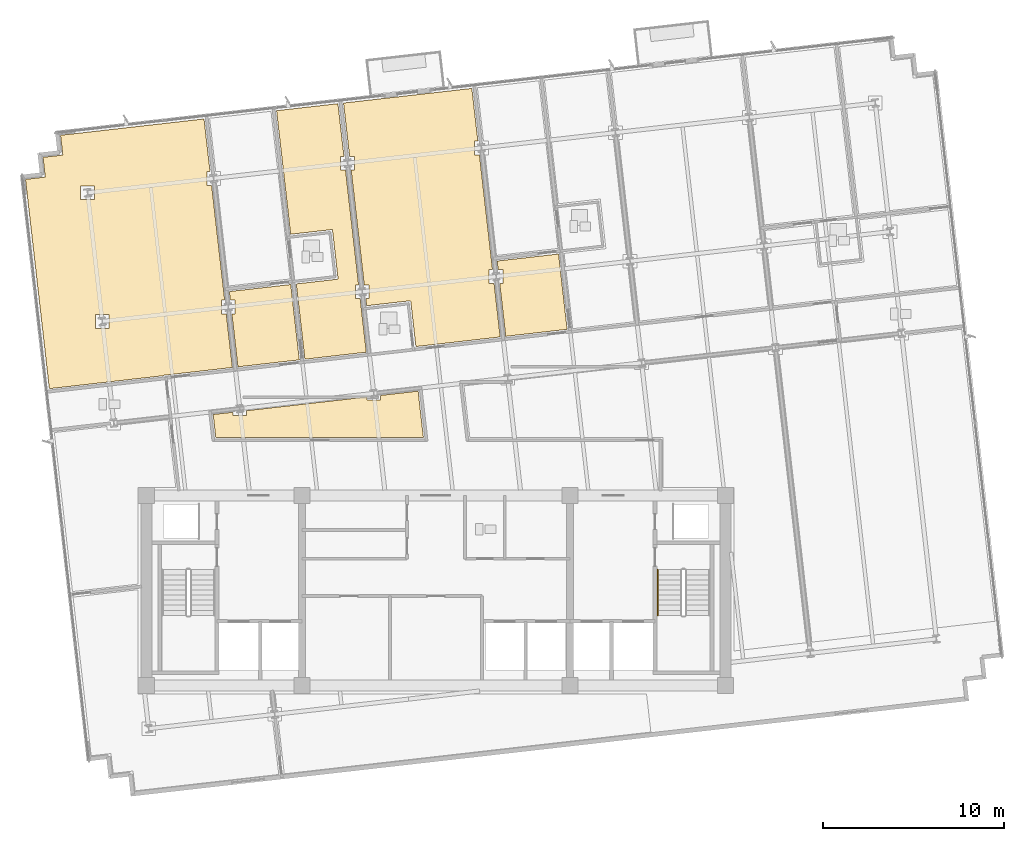
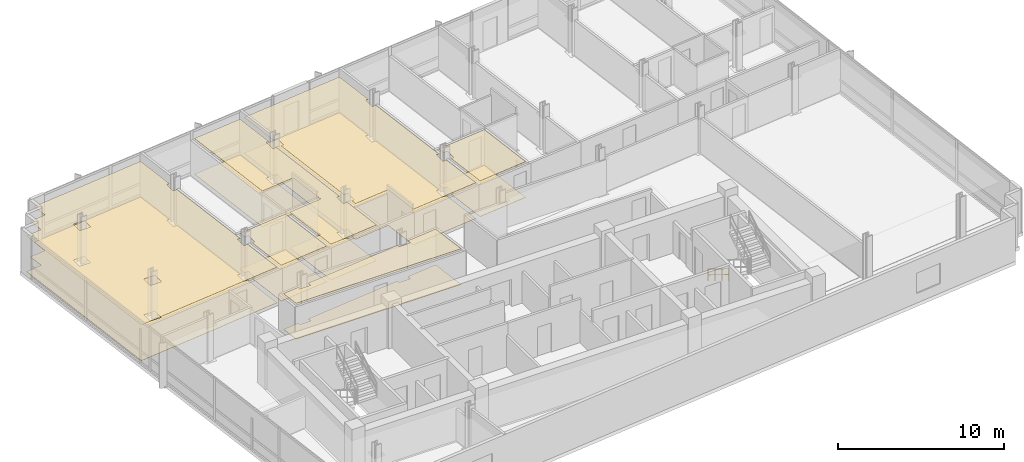
# One storey, part 13 of 16: 12 coverings, 1 railing.
"""IFC4 building model written with IfcOpenShell, lengths in metres."""

from ifc_helpers import new_model, si_unit, direction, frame, origin, origin_2d, place, context, subcontext, project, spatial, polyline, circle, outline, extrude, material, layer, layer_set, type_object, element, save


model = new_model("IFC4")

# Units and contexts
model_context = context("Model", 3, precision=1e-05, world=origin(), true_north=direction((0.0, 1.0)))
body_context = subcontext(model_context, "Body", "Model", "MODEL_VIEW")
ifc_project = project(units=[si_unit("LENGTHUNIT", "METRE"), si_unit("AREAUNIT", "SQUARE_METRE"), si_unit("VOLUMEUNIT", "CUBIC_METRE"), si_unit("PLANEANGLEUNIT", "RADIAN"), si_unit("MASSUNIT", "GRAM", prefix="KILO")], contexts=[model_context])

# Site, building, storey
site_placement = place(None, origin())
site = spatial("IfcSite", under=ifc_project, at=site_placement, CompositionType="ELEMENT")
building_placement = place(site_placement, origin())
building = spatial("IfcBuilding", under=site, at=building_placement, Name="Solmavex Isthmus Hotel", CompositionType="ELEMENT")
storey_placement = place(building_placement, frame((0.0, 0.0, 205.5)))
storey = spatial("IfcBuildingStorey", under=building, at=storey_placement, Name="L55", CompositionType="ELEMENT", Elevation=205.5)

# Coverings
ifc_material_1 = material(Name="Gypsum plasterboard lining", Category="gypsum")
ifc_layer_1 = layer(ifc_material_1, 0.030029296875)
ifc_layer_set_1 = layer_set([ifc_layer_1], Name="Gypsum plasterboard lining")
covering_type_1 = type_object("IfcCoveringType", Name="COV-CEIL-GYP", PredefinedType="CEILING", material=ifc_layer_set_1)
covering_1_placement = place(storey_placement, frame((0.0, 0.0, 2.6201171875)))
element("IfcCovering", 1, at=covering_1_placement, inside=storey, type_object=covering_type_1, Name="Suspended Acoustic Ceiling L55-RM01", PredefinedType="CEILING", context=body_context, shape_type="SweptSolid", body=[
    extrude(outline(polyline([(-15.079833984375, 4.11669921875), (-15.08203125, 4.136474609375), (-11.2490234375, 4.5732421875), (-11.586181640625, 7.532470703125), (-11.853271484375, 7.532470703125), (-11.853271484375, 8.29248046875), (-11.672607421875, 8.29248046875), (-12.395751953125, 14.638427734375), (-12.6630859375, 14.638427734375), (-12.6630859375, 15.3984375), (-12.482421875, 15.3984375), (-12.8134765625, 18.304443359375), (-19.92041015625, 17.49462890625), (-20.740234375, 17.4013671875), (-20.615478515625, 16.308349609375), (-21.70849609375, 16.183837890625), (-21.583984375, 15.091064453125), (-22.677001953125, 14.966552734375), (-22.58349609375, 14.146728515625), (-21.359130859375, 3.4013671875), (-15.079833984375, 4.11669921875)]), holes=[polyline([(-18.81640625, 6.739013671875), (-18.81640625, 7.4990234375), (-18.056396484375, 7.4990234375), (-18.056396484375, 6.739013671875), (-18.81640625, 6.739013671875)]), polyline([(-19.6259765625, 13.844970703125), (-19.6259765625, 14.60498046875), (-18.865966796875, 14.60498046875), (-18.865966796875, 13.844970703125), (-19.6259765625, 13.844970703125)])]), origin(), (0.0, 0.0, 1.0), 0.02978515625),
])
covering_2_placement = place(storey_placement, frame((0.0, 0.0, 2.6201171875)))
element("IfcCovering", 2, at=covering_2_placement, inside=storey, type_object=covering_type_1, Name="Suspended Acoustic Ceiling L55-SL02-FY", PredefinedType="CEILING", context=body_context, shape_type="SweptSolid", body=[
    extrude(outline(polyline([(-11.360595703125, 8.29248046875), (-11.09326171875, 8.29248046875), (-11.09326171875, 7.532470703125), (-11.274169921875, 7.532470703125), (-10.94091796875, 4.6083984375), (-7.5498046875, 4.994873046875), (-8.02392578125, 9.15576171875), (-11.4150390625, 8.76953125), (-11.360595703125, 8.29248046875)])), origin(), (0.0, 0.0, 1.0), 0.02978515625),
])
covering_3_placement = place(storey_placement, frame((0.0, 0.0, 2.6201171875)))
element("IfcCovering", 3, at=covering_3_placement, inside=storey, type_object=covering_type_1, Name="Suspended Acoustic Ceiling L55-SV02", PredefinedType="CEILING", context=body_context, shape_type="SweptSolid", body=[
    extrude(outline(polyline([(-4.99755859375, 15.481201171875), (-5.264892578125, 15.481201171875), (-5.264892578125, 16.2412109375), (-5.084228515625, 16.2412109375), (-5.415283203125, 19.1474609375), (-8.806396484375, 18.760986328125), (-8.0283203125, 11.93310546875), (-5.72021484375, 12.1962890625), (-5.407958984375, 9.453857421875), (-7.716064453125, 9.19091796875), (-7.241943359375, 5.02978515625), (-3.850830078125, 5.416259765625), (-4.18798828125, 8.375244140625), (-4.455322265625, 8.375244140625), (-4.455322265625, 9.13525390625), (-4.2744140625, 9.13525390625), (-4.99755859375, 15.481201171875)])), origin(), (0.0, 0.0, 1.0), 0.02978515625),
])
covering_4_placement = place(storey_placement, frame((0.0, 0.0, 2.6201171875)))
element("IfcCovering", 4, at=covering_4_placement, inside=storey, type_object=covering_type_1, Name="Suspended Acoustic Ceiling L55-RM03", PredefinedType="CEILING", context=body_context, shape_type="SweptSolid", body=[
    extrude(outline(polyline([(-3.962646484375, 9.13525390625), (-3.6953125, 9.13525390625), (-3.6953125, 8.375244140625), (-3.8759765625, 8.375244140625), (-3.83154296875, 7.98486328125), (-1.397216796875, 8.26220703125), (-1.108642578125, 5.728759765625), (3.54736328125, 6.259033203125), (3.210205078125, 9.21826171875), (2.94287109375, 9.21826171875), (2.94287109375, 9.978271484375), (3.12353515625, 9.978271484375), (2.400634765625, 16.32421875), (2.13330078125, 16.32421875), (2.13330078125, 17.084228515625), (2.31396484375, 17.084228515625), (1.98291015625, 19.990234375), (-5.107177734375, 19.182373046875), (-4.772216796875, 16.2412109375), (-4.5048828125, 16.2412109375), (-4.5048828125, 15.481201171875), (-4.685546875, 15.481201171875), (-3.962646484375, 9.13525390625)])), origin(), (0.0, 0.0, 1.0), 0.02978515625),
])
covering_5_placement = place(storey_placement, frame((0.0, 0.0, 2.6201171875)))
element("IfcCovering", 5, at=covering_5_placement, inside=storey, type_object=covering_type_1, Name="Suspended Acoustic Ceiling L55-SL04-FY", PredefinedType="CEILING", context=body_context, shape_type="SweptSolid", body=[
    extrude(outline(polyline([(3.435546875, 9.978271484375), (3.702880859375, 9.978271484375), (3.702880859375, 9.21826171875), (3.522216796875, 9.21826171875), (3.855224609375, 6.294189453125), (7.246337890625, 6.6806640625), (6.772216796875, 10.841552734375), (3.38134765625, 10.455322265625), (3.435546875, 9.978271484375)])), origin(), (0.0, 0.0, 1.0), 0.02978515625),
])
covering_6_placement = place(storey_placement, frame((0.0, 0.0, 2.6201171875)))
element("IfcCovering", 6, at=covering_6_placement, inside=storey, type_object=covering_type_1, Name="Suspended Acoustic Ceiling L55-FL09", PredefinedType="CEILING", context=body_context, shape_type="SweptSolid", body=[
    extrude(outline(polyline([(-10.4541015625, 2.18798828125), (-10.4541015625, 1.920654296875), (-11.214111328125, 1.920654296875), (-11.214111328125, 2.101318359375), (-12.309814453125, 1.9765625), (-12.1650390625, 0.705078125), (-0.694091796875, 0.705078125), (-0.986083984375, 3.2666015625), (-3.055908203125, 3.03076171875), (-3.055908203125, 2.763671875), (-3.81591796875, 2.763671875), (-3.81591796875, 2.9443359375), (-10.4541015625, 2.18798828125)])), origin(), (0.0, 0.0, 1.0), 0.02978515625),
])
ifc_material_2 = material(Name="Travertine natural stone", Category="masonry")
ifc_layer_2 = layer(ifc_material_2, 0.02490234375)
ifc_layer_set_2 = layer_set([ifc_layer_2], Name="Travertine natural stone")
covering_type_2 = type_object("IfcCoveringType", Name="COV-FLOR-STN", PredefinedType="FLOORING", material=ifc_layer_set_2)
covering_7_placement = place(storey_placement, origin())
element("IfcCovering", 7, at=covering_7_placement, inside=storey, type_object=covering_type_2, Name="Stone and Timber Floor Finish L55-RM01", PredefinedType="FLOORING", context=body_context, shape_type="SweptSolid", body=[
    extrude(outline(polyline([(-15.079833984375, 4.11669921875), (-15.08203125, 4.136474609375), (-11.2490234375, 4.5732421875), (-11.586181640625, 7.532470703125), (-11.853271484375, 7.532470703125), (-11.853271484375, 8.29248046875), (-11.672607421875, 8.29248046875), (-12.395751953125, 14.638427734375), (-12.6630859375, 14.638427734375), (-12.6630859375, 15.3984375), (-12.482421875, 15.3984375), (-12.8134765625, 18.304443359375), (-19.92041015625, 17.49462890625), (-20.740234375, 17.4013671875), (-20.615478515625, 16.308349609375), (-21.70849609375, 16.183837890625), (-21.583984375, 15.091064453125), (-22.677001953125, 14.966552734375), (-22.58349609375, 14.146728515625), (-21.359130859375, 3.4013671875), (-15.079833984375, 4.11669921875)]), holes=[polyline([(-18.81640625, 6.739013671875), (-18.81640625, 7.4990234375), (-18.056396484375, 7.4990234375), (-18.056396484375, 6.739013671875), (-18.81640625, 6.739013671875)]), polyline([(-19.6259765625, 13.844970703125), (-19.6259765625, 14.60498046875), (-18.865966796875, 14.60498046875), (-18.865966796875, 13.844970703125), (-19.6259765625, 13.844970703125)])]), origin(), (0.0, 0.0, 1.0), 0.02490234375),
])
covering_8_placement = place(storey_placement, origin())
element("IfcCovering", 8, at=covering_8_placement, inside=storey, type_object=covering_type_2, Name="Stone and Timber Floor Finish L55-SL02-FY", PredefinedType="FLOORING", context=body_context, shape_type="SweptSolid", body=[
    extrude(outline(polyline([(-11.360595703125, 8.29248046875), (-11.09326171875, 8.29248046875), (-11.09326171875, 7.532470703125), (-11.274169921875, 7.532470703125), (-10.94091796875, 4.6083984375), (-7.5498046875, 4.994873046875), (-8.02392578125, 9.15576171875), (-11.4150390625, 8.76953125), (-11.360595703125, 8.29248046875)])), origin(), (0.0, 0.0, 1.0), 0.02490234375),
])
covering_9_placement = place(storey_placement, origin())
element("IfcCovering", 9, at=covering_9_placement, inside=storey, type_object=covering_type_2, Name="Stone and Timber Floor Finish L55-SV02", PredefinedType="FLOORING", context=body_context, shape_type="SweptSolid", body=[
    extrude(outline(polyline([(-4.99755859375, 15.481201171875), (-5.264892578125, 15.481201171875), (-5.264892578125, 16.2412109375), (-5.084228515625, 16.2412109375), (-5.415283203125, 19.1474609375), (-8.806396484375, 18.760986328125), (-8.0283203125, 11.93310546875), (-5.72021484375, 12.1962890625), (-5.407958984375, 9.453857421875), (-7.716064453125, 9.19091796875), (-7.241943359375, 5.02978515625), (-3.850830078125, 5.416259765625), (-4.18798828125, 8.375244140625), (-4.455322265625, 8.375244140625), (-4.455322265625, 9.13525390625), (-4.2744140625, 9.13525390625), (-4.99755859375, 15.481201171875)])), origin(), (0.0, 0.0, 1.0), 0.02490234375),
])
covering_10_placement = place(storey_placement, origin())
element("IfcCovering", 10, at=covering_10_placement, inside=storey, type_object=covering_type_2, Name="Stone and Timber Floor Finish L55-RM03", PredefinedType="FLOORING", context=body_context, shape_type="SweptSolid", body=[
    extrude(outline(polyline([(-3.962646484375, 9.13525390625), (-3.6953125, 9.13525390625), (-3.6953125, 8.375244140625), (-3.8759765625, 8.375244140625), (-3.83154296875, 7.98486328125), (-1.397216796875, 8.26220703125), (-1.108642578125, 5.728759765625), (3.54736328125, 6.259033203125), (3.210205078125, 9.21826171875), (2.94287109375, 9.21826171875), (2.94287109375, 9.978271484375), (3.12353515625, 9.978271484375), (2.400634765625, 16.32421875), (2.13330078125, 16.32421875), (2.13330078125, 17.084228515625), (2.31396484375, 17.084228515625), (1.98291015625, 19.990234375), (-5.107177734375, 19.182373046875), (-4.772216796875, 16.2412109375), (-4.5048828125, 16.2412109375), (-4.5048828125, 15.481201171875), (-4.685546875, 15.481201171875), (-3.962646484375, 9.13525390625)])), origin(), (0.0, 0.0, 1.0), 0.02490234375),
])
covering_11_placement = place(storey_placement, origin())
element("IfcCovering", 11, at=covering_11_placement, inside=storey, type_object=covering_type_2, Name="Stone and Timber Floor Finish L55-SL04-FY", PredefinedType="FLOORING", context=body_context, shape_type="SweptSolid", body=[
    extrude(outline(polyline([(3.435546875, 9.978271484375), (3.702880859375, 9.978271484375), (3.702880859375, 9.21826171875), (3.522216796875, 9.21826171875), (3.855224609375, 6.294189453125), (7.246337890625, 6.6806640625), (6.772216796875, 10.841552734375), (3.38134765625, 10.455322265625), (3.435546875, 9.978271484375)])), origin(), (0.0, 0.0, 1.0), 0.02490234375),
])
covering_12_placement = place(storey_placement, origin())
element("IfcCovering", 12, at=covering_12_placement, inside=storey, type_object=covering_type_2, Name="Stone and Timber Floor Finish L55-FL09", PredefinedType="FLOORING", context=body_context, shape_type="SweptSolid", body=[
    extrude(outline(polyline([(-10.4541015625, 2.18798828125), (-10.4541015625, 1.920654296875), (-11.214111328125, 1.920654296875), (-11.214111328125, 2.101318359375), (-12.309814453125, 1.9765625), (-12.1650390625, 0.705078125), (-0.694091796875, 0.705078125), (-0.986083984375, 3.2666015625), (-3.055908203125, 3.03076171875), (-3.055908203125, 2.763671875), (-3.81591796875, 2.763671875), (-3.81591796875, 2.9443359375), (-10.4541015625, 2.18798828125)])), origin(), (0.0, 0.0, 1.0), 0.02490234375),
])

# Railing
ifc_material_3 = material(Name="Stainless steel 316", Category="steel")
ifc_layer_3 = layer(ifc_material_3, 0.050048828125)
ifc_layer_set_3 = layer_set([ifc_layer_3], Name="Stainless steel 316")
railing_type = type_object("IfcRailingType", Name="RAIL-STAIR-HR", PredefinedType="HANDRAIL", material=ifc_layer_set_3)
railing_placement = place(storey_placement, frame((12.25, -6.60009765625, 0.172607421875)))
element("IfcRailing", 13, at=railing_placement, inside=storey, type_object=railing_type, Name="L55 ST-2 stair handrail 1", PredefinedType="HANDRAIL", context=body_context, shape_type="SweptSolid", body=[
    extrude(circle(Radius=0.02392578125, at=origin_2d()), frame((0.0, 0.0, 0.8759765625), z_axis=(0.0, -0.851400495292, 0.524516154772), x_axis=(1.0, 0.0, 0.0)), (0.0, 0.0, 1.0), 2.9599609375),
    extrude(circle(Radius=0.02392578125, at=origin_2d()), frame((0.0, 0.0, 0.449951171875), z_axis=(0.0, -0.851400495292, 0.524516154772), x_axis=(1.0, 0.0, 0.0)), (0.0, 0.0, 1.0), 2.9599609375),
    extrude(circle(Radius=0.02099609375, at=origin_2d()), origin(), (0.0, 0.0, 1.0), 0.851806640625),
    extrude(circle(Radius=0.02099609375, at=origin_2d()), frame((0.0, -0.840087890625, 0.517578125)), (0.0, 0.0, 1.0), 0.851806640625),
    extrude(circle(Radius=0.02099609375, at=origin_2d()), frame((0.0, -1.679931640625, 1.034912109375)), (0.0, 0.0, 1.0), 0.851806640625),
    extrude(circle(Radius=0.02099609375, at=origin_2d()), frame((0.0, -2.52001953125, 1.552490234375)), (0.0, 0.0, 1.0), 0.851806640625),
])

save(model, "model.ifc")
